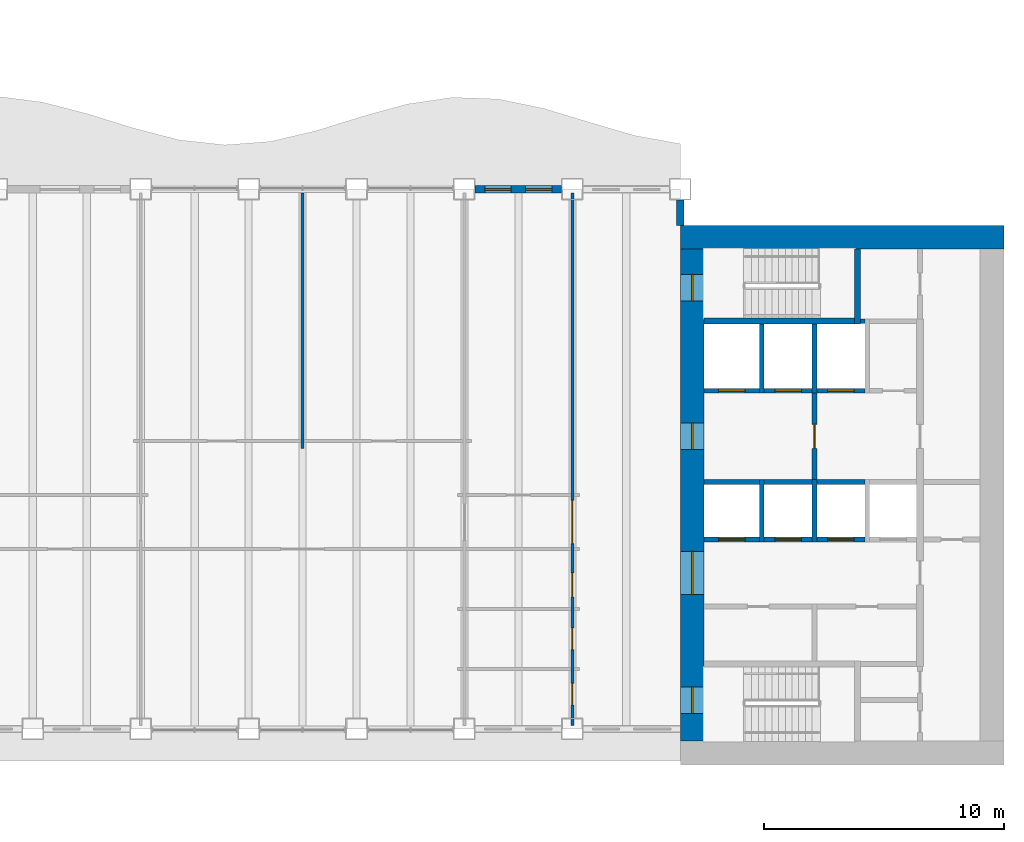
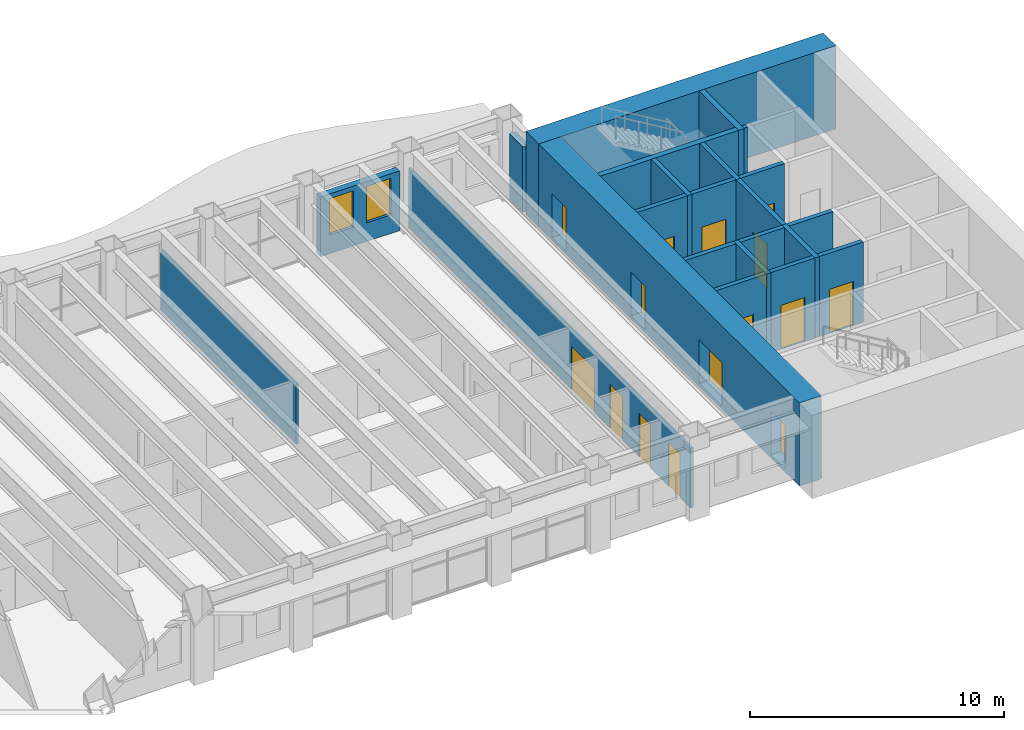
# One storey, part 8 of 17: 23 walls, 15 doors, 2 windows, 17 openings.
"""IFC4 building model written with IfcOpenShell, lengths in metres."""

from ifc_helpers import new_model, si_unit, direction, frame, frame_2d, origin, place, context, subcontext, project, spatial, rectangle, extrude, material, layer, layer_set, type_object, element, fill, save


model = new_model("IFC4")

# Units and contexts
model_context = context("Model", 3, precision=1e-05, world=origin(), true_north=direction((0.0, 1.0)))
body_context = subcontext(model_context, "Body", "Model", "MODEL_VIEW")
ifc_project = project(units=[si_unit("LENGTHUNIT", "METRE"), si_unit("AREAUNIT", "SQUARE_METRE"), si_unit("VOLUMEUNIT", "CUBIC_METRE"), si_unit("PLANEANGLEUNIT", "RADIAN"), si_unit("MASSUNIT", "GRAM", prefix="KILO")], contexts=[model_context])

# Site, building, storey
site_placement = place(None, origin())
site = spatial("IfcSite", under=ifc_project, at=site_placement, CompositionType="ELEMENT")
building_placement = place(site_placement, origin())
building = spatial("IfcBuilding", under=site, at=building_placement, Name="Sennacour Bend Tower", CompositionType="ELEMENT")
storey_placement = place(building_placement, frame((0.0, 0.0, 151.0)))
storey = spatial("IfcBuildingStorey", under=building, at=storey_placement, Name="L34", CompositionType="ELEMENT", Elevation=151.0)

# Wall
ifc_material_1 = material(Name="Concrete C60/75", Category="concrete")
ifc_layer_1 = layer(ifc_material_1, 1.0, Name="Concrete C60/75", Category="concrete")
ifc_layer_set_1 = layer_set([ifc_layer_1], Name="Concrete C60/75")
wall_type_1 = type_object("IfcWallType", Name="Core wall 1000 C60/75", PredefinedType="SHEAR", material=ifc_layer_set_1)
wall_1_placement = place(storey_placement, frame((54.0, 22.0, -0.14990234375), z_axis=(0.0, 0.0, 1.0), x_axis=(1.0, 0.0, 0.0)))
element("IfcWall", 1, at=wall_1_placement, inside=storey, type_object=wall_type_1, Name="Core A wall L34 N", PredefinedType="SHEAR", context=body_context, shape_type="SweptSolid", body=[
    extrude(rectangle(XDim=13.5, YDim=1.0, at=frame_2d((6.75, 0.0))), origin(), (0.0, 0.0, 1.0), 4.0),
])

# Wall, openings, doors
wall_2_placement = place(storey_placement, frame((54.5, 1.0, -0.14990234375), z_axis=(0.0, 0.0, 1.0), x_axis=(0.0, 1.0, 0.0)))
wall_2 = element("IfcWall", 2, at=wall_2_placement, inside=storey, type_object=wall_type_1, Name="Core A wall L34 W", PredefinedType="SHEAR", context=body_context, shape_type="SweptSolid", body=[
    extrude(rectangle(XDim=20.5, YDim=1.0, at=frame_2d((10.25, 0.0))), origin(), (0.0, 0.0, 1.0), 4.0),
])
opening_1_placement = place(wall_2_placement, frame((6.10009765625, 0.0, 0.14990234375)))
opening_1 = element("IfcOpeningElement", 3, at=opening_1_placement, cuts=wall_2, Name="Opening CD", PredefinedType="OPENING", context=body_context, shape_type="SweptSolid", body=[
    extrude(rectangle(XDim=1.800048828125, YDim=2.10009765625, at=frame_2d((0.89990234375, 1.050048828125))), frame((0.0, 0.510009765625, 0.0), z_axis=(0.0, -1.0, 0.0), x_axis=(1.0, 0.0, 0.0)), (0.0, 0.0, 1.0), 1.02001953125),
])
opening_2_placement = place(wall_2_placement, frame((12.14990234375, 0.0, 0.14990234375)))
opening_2 = element("IfcOpeningElement", 4, at=opening_2_placement, cuts=wall_2, Name="Opening FD", PredefinedType="OPENING", context=body_context, shape_type="SweptSolid", body=[
    extrude(rectangle(XDim=1.10009765625, YDim=2.10009765625, at=frame_2d((0.550048828125, 1.050048828125))), frame((0.0, 0.510009765625, 0.0), z_axis=(0.0, -1.0, 0.0), x_axis=(1.0, 0.0, 0.0)), (0.0, 0.0, 1.0), 1.02001953125),
])
opening_3_placement = place(wall_2_placement, frame((1.14990234375, 0.0, 0.14990234375)))
opening_3 = element("IfcOpeningElement", 5, at=opening_3_placement, cuts=wall_2, Name="Opening SD", PredefinedType="OPENING", context=body_context, shape_type="SweptSolid", body=[
    extrude(rectangle(XDim=1.10009765625, YDim=2.10009765625, at=frame_2d((0.550048828125, 1.050048828125))), frame((0.0, 0.510009765625, 0.0), z_axis=(0.0, -1.0, 0.0), x_axis=(1.0, 0.0, 0.0)), (0.0, 0.0, 1.0), 1.02001953125),
])
opening_4_placement = place(wall_2_placement, frame((18.35009765625, 0.0, 0.14990234375)))
opening_4 = element("IfcOpeningElement", 6, at=opening_4_placement, cuts=wall_2, Name="Opening SD", PredefinedType="OPENING", context=body_context, shape_type="SweptSolid", body=[
    extrude(rectangle(XDim=1.10009765625, YDim=2.10009765625, at=frame_2d((0.550048828125, 1.050048828125))), frame((0.0, 0.510009765625, 0.0), z_axis=(0.0, -1.0, 0.0), x_axis=(1.0, 0.0, 0.0)), (0.0, 0.0, 1.0), 1.02001953125),
])
ifc_material_2 = material(Name="Painted steel", Category="steel")
door_type_1 = type_object("IfcDoorType", Name="DR-FFL-1100", OperationType="NOTDEFINED", PredefinedType="DOOR", material=ifc_material_2)
door_1_placement = place(opening_2_placement, origin())
door_1 = element("IfcDoor", 7, at=door_1_placement, inside=storey, type_object=door_type_1, Name="Door", OperationType="SINGLE_SWING_RIGHT", OverallHeight=2.10009765625, OverallWidth=1.10009765625, PredefinedType="DOOR", context=body_context, shape_type="SweptSolid", body=[
    extrude(rectangle(XDim=1.10009765625, YDim=2.10009765625, at=frame_2d((0.550048828125, 1.050048828125))), frame((0.0, 0.02490234375, 0.0), z_axis=(0.0, -1.0, 0.0), x_axis=(1.0, 0.0, 0.0)), (0.0, 0.0, 1.0), 0.050048828125),
])
fill(opening_2, door_1)
door_type_2 = type_object("IfcDoorType", Name="DR-LOBBY-1800", OperationType="NOTDEFINED", PredefinedType="DOOR", material=ifc_material_2)
door_2_placement = place(opening_1_placement, origin())
door_2 = element("IfcDoor", 8, at=door_2_placement, inside=storey, type_object=door_type_2, Name="Door", OperationType="DOUBLE_DOOR_SINGLE_SWING", OverallHeight=2.10009765625, OverallWidth=1.800048828125, PredefinedType="DOOR", context=body_context, shape_type="SweptSolid", body=[
    extrude(rectangle(XDim=1.800048828125, YDim=2.10009765625, at=frame_2d((0.89990234375, 1.050048828125))), frame((0.0, 0.02490234375, 0.0), z_axis=(0.0, -1.0, 0.0), x_axis=(1.0, 0.0, 0.0)), (0.0, 0.0, 1.0), 0.050048828125),
])
fill(opening_1, door_2)
door_type_3 = type_object("IfcDoorType", Name="DR-STAIR-1100", OperationType="NOTDEFINED", PredefinedType="DOOR", material=ifc_material_2)
door_3_placement = place(opening_3_placement, origin())
door_3 = element("IfcDoor", 9, at=door_3_placement, inside=storey, type_object=door_type_3, Name="Door", OperationType="SINGLE_SWING_LEFT", OverallHeight=2.10009765625, OverallWidth=1.10009765625, PredefinedType="DOOR", context=body_context, shape_type="SweptSolid", body=[
    extrude(rectangle(XDim=1.10009765625, YDim=2.10009765625, at=frame_2d((0.550048828125, 1.050048828125))), frame((0.0, 0.02490234375, 0.0), z_axis=(0.0, -1.0, 0.0), x_axis=(1.0, 0.0, 0.0)), (0.0, 0.0, 1.0), 0.050048828125),
])
fill(opening_3, door_3)
door_4_placement = place(opening_4_placement, origin())
door_4 = element("IfcDoor", 10, at=door_4_placement, inside=storey, type_object=door_type_3, Name="Door", OperationType="SINGLE_SWING_RIGHT", OverallHeight=2.10009765625, OverallWidth=1.10009765625, PredefinedType="DOOR", context=body_context, shape_type="SweptSolid", body=[
    extrude(rectangle(XDim=1.10009765625, YDim=2.10009765625, at=frame_2d((0.550048828125, 1.050048828125))), frame((0.0, 0.02490234375, 0.0), z_axis=(0.0, -1.0, 0.0), x_axis=(1.0, 0.0, 0.0)), (0.0, 0.0, 1.0), 0.050048828125),
])
fill(opening_4, door_4)

# Wall
ifc_material_3 = material(Name="Plasterboard partition on steel studs", Category="steel")
ifc_layer_2 = layer(ifc_material_3, 0.1201171875, Name="Plasterboard partition on steel studs", Category="steel")
ifc_layer_set_2 = layer_set([ifc_layer_2], Name="Plasterboard partition on steel studs")
wall_type_2 = type_object("IfcWallType", Name="Partition 120", PredefinedType="PARTITIONING", material=ifc_layer_set_2)
wall_3_placement = place(storey_placement, frame((38.25, 13.199951171875, 0.0), z_axis=(0.0, 0.0, 1.0), x_axis=(0.0, 1.0, 0.0)))
element("IfcWall", 11, at=wall_3_placement, inside=storey, type_object=wall_type_2, Name="P-L34-W028a", PredefinedType="PARTITIONING", context=body_context, shape_type="SweptSolid", body=[
    extrude(rectangle(XDim=10.650146484375, YDim=0.1201171875, at=frame_2d((5.3251953125, 0.0))), origin(), (0.0, 0.0, 1.0), 2.8701171875),
])

# Wall, openings, doors
ifc_layer_3 = layer(ifc_material_3, 0.1201171875, Name="Plasterboard partition on steel studs", Category="steel")
ifc_layer_set_3 = layer_set([ifc_layer_3], Name="Plasterboard partition on steel studs")
wall_type_3 = type_object("IfcWallType", Name="Partition 120 EI 30", PredefinedType="PARTITIONING", material=ifc_layer_set_3)
wall_4_placement = place(storey_placement, frame((49.5, 1.64990234375, 0.0), z_axis=(0.0, 0.0, 1.0), x_axis=(0.0, 1.0, 0.0)))
wall_4 = element("IfcWall", 12, at=wall_4_placement, inside=storey, type_object=wall_type_3, Name="P-L34-W030a", PredefinedType="PARTITIONING", context=body_context, shape_type="SweptSolid", body=[
    extrude(rectangle(XDim=22.2001953125, YDim=0.1201171875, at=frame_2d((11.10009765625, 0.0))), origin(), (0.0, 0.0, 1.0), 2.8701171875),
])
opening_5_placement = place(wall_4_placement, frame((7.5751953125, 0.0, 0.0)))
opening_5 = element("IfcOpeningElement", 13, at=opening_5_placement, cuts=wall_4, Name="Opening KD3", PredefinedType="OPENING", context=body_context, shape_type="SweptSolid", body=[
    extrude(rectangle(XDim=1.800048828125, YDim=2.10009765625, at=frame_2d((0.89990234375, 1.050048828125))), frame((0.0, 0.070068359375, 0.0), z_axis=(0.0, -1.0, 0.0), x_axis=(1.0, 0.0, 0.0)), (0.0, 0.0, 1.0), 0.14013671875),
])
opening_6_placement = place(wall_4_placement, frame((0.85009765625, 0.0, 0.0)))
opening_6 = element("IfcOpeningElement", 14, at=opening_6_placement, cuts=wall_4, Name="Opening WD", PredefinedType="OPENING", context=body_context, shape_type="SweptSolid", body=[
    extrude(rectangle(XDim=0.89990234375, YDim=2.10009765625, at=frame_2d((0.449951171875, 1.050048828125))), frame((0.0, 0.070068359375, 0.0), z_axis=(0.0, -1.0, 0.0), x_axis=(1.0, 0.0, 0.0)), (0.0, 0.0, 1.0), 0.14013671875),
])
opening_7_placement = place(wall_4_placement, frame((3.150146484375, 0.0, 0.0)))
opening_7 = element("IfcOpeningElement", 15, at=opening_7_placement, cuts=wall_4, Name="Opening WD", PredefinedType="OPENING", context=body_context, shape_type="SweptSolid", body=[
    extrude(rectangle(XDim=0.89990234375, YDim=2.10009765625, at=frame_2d((0.449951171875, 1.050048828125))), frame((0.0, 0.070068359375, 0.0), z_axis=(0.0, -1.0, 0.0), x_axis=(1.0, 0.0, 0.0)), (0.0, 0.0, 1.0), 0.14013671875),
])
opening_8_placement = place(wall_4_placement, frame((5.35009765625, 0.0, 0.0)))
opening_8 = element("IfcOpeningElement", 16, at=opening_8_placement, cuts=wall_4, Name="Opening AD", PredefinedType="OPENING", context=body_context, shape_type="SweptSolid", body=[
    extrude(rectangle(XDim=1.0, YDim=2.10009765625, at=frame_2d((0.5, 1.050048828125))), frame((0.0, 0.070068359375, 0.0), z_axis=(0.0, -1.0, 0.0), x_axis=(1.0, 0.0, 0.0)), (0.0, 0.0, 1.0), 0.14013671875),
])
ifc_material_4 = material(Name="Timber", Category="wood")
door_type_4 = type_object("IfcDoorType", Name="DR-ACC-WC-1000", OperationType="NOTDEFINED", PredefinedType="DOOR", material=ifc_material_4)
door_5_placement = place(opening_8_placement, origin())
door_5 = element("IfcDoor", 17, at=door_5_placement, inside=storey, type_object=door_type_4, Name="Door", OperationType="SINGLE_SWING_LEFT", OverallHeight=2.10009765625, OverallWidth=1.0, PredefinedType="DOOR", context=body_context, shape_type="SweptSolid", body=[
    extrude(rectangle(XDim=1.0, YDim=2.10009765625, at=frame_2d((0.5, 1.050048828125))), frame((0.0, 0.02490234375, 0.0), z_axis=(0.0, -1.0, 0.0), x_axis=(1.0, 0.0, 0.0)), (0.0, 0.0, 1.0), 0.050048828125),
])
fill(opening_8, door_5)
door_type_5 = type_object("IfcDoorType", Name="DR-CORRIDOR-1800", OperationType="NOTDEFINED", PredefinedType="DOOR", material=ifc_material_2)
door_6_placement = place(opening_5_placement, origin())
door_6 = element("IfcDoor", 18, at=door_6_placement, inside=storey, type_object=door_type_5, Name="Door", OperationType="DOUBLE_DOOR_SINGLE_SWING", OverallHeight=2.10009765625, OverallWidth=1.800048828125, PredefinedType="DOOR", context=body_context, shape_type="SweptSolid", body=[
    extrude(rectangle(XDim=1.800048828125, YDim=2.10009765625, at=frame_2d((0.89990234375, 1.050048828125))), frame((0.0, 0.02490234375, 0.0), z_axis=(0.0, -1.0, 0.0), x_axis=(1.0, 0.0, 0.0)), (0.0, 0.0, 1.0), 0.050048828125),
])
fill(opening_5, door_6)
door_type_6 = type_object("IfcDoorType", Name="DR-WC-900", OperationType="NOTDEFINED", PredefinedType="DOOR", material=ifc_material_4)
door_7_placement = place(opening_6_placement, origin())
door_7 = element("IfcDoor", 19, at=door_7_placement, inside=storey, type_object=door_type_6, Name="Door", OperationType="SINGLE_SWING_LEFT", OverallHeight=2.10009765625, OverallWidth=0.89990234375, PredefinedType="DOOR", context=body_context, shape_type="SweptSolid", body=[
    extrude(rectangle(XDim=0.89990234375, YDim=2.10009765625, at=frame_2d((0.449951171875, 1.050048828125))), frame((0.0, 0.02490234375, 0.0), z_axis=(0.0, -1.0, 0.0), x_axis=(1.0, 0.0, 0.0)), (0.0, 0.0, 1.0), 0.050048828125),
])
fill(opening_6, door_7)
door_8_placement = place(opening_7_placement, origin())
door_8 = element("IfcDoor", 20, at=door_8_placement, inside=storey, type_object=door_type_6, Name="Door", OperationType="SINGLE_SWING_LEFT", OverallHeight=2.10009765625, OverallWidth=0.89990234375, PredefinedType="DOOR", context=body_context, shape_type="SweptSolid", body=[
    extrude(rectangle(XDim=0.89990234375, YDim=2.10009765625, at=frame_2d((0.449951171875, 1.050048828125))), frame((0.0, 0.02490234375, 0.0), z_axis=(0.0, -1.0, 0.0), x_axis=(1.0, 0.0, 0.0)), (0.0, 0.0, 1.0), 0.050048828125),
])
fill(opening_7, door_8)

# Wall, opening, door
ifc_material_5 = material(Name="Fire-rated plasterboard partition on steel studs", Category="steel")
ifc_layer_4 = layer(ifc_material_5, 0.199951171875, Name="Fire-rated plasterboard partition on steel studs", Category="steel")
ifc_layer_set_4 = layer_set([ifc_layer_4], Name="Fire-rated plasterboard partition on steel studs")
wall_type_4 = type_object("IfcWallType", Name="Rated partition 200 EI 90", PredefinedType="PARTITIONING", material=ifc_layer_set_4)
wall_5_placement = place(storey_placement, frame((59.60009765625, 11.89990234375, 0.0), z_axis=(0.0, 0.0, 1.0), x_axis=(0.0, 1.0, 0.0)))
wall_5 = element("IfcWall", 21, at=wall_5_placement, inside=storey, type_object=wall_type_4, Name="P-L34-W036", PredefinedType="PARTITIONING", context=body_context, shape_type="SweptSolid", body=[
    extrude(rectangle(XDim=3.60009765625, YDim=0.199951171875, at=frame_2d((1.800048828125, 0.0))), origin(), (0.0, 0.0, 1.0), 3.85009765625),
])
opening_9_placement = place(wall_5_placement, frame((1.300048828125, 0.0, 0.0)))
opening_9 = element("IfcOpeningElement", 22, at=opening_9_placement, cuts=wall_5, Name="Opening FD2", PredefinedType="OPENING", context=body_context, shape_type="SweptSolid", body=[
    extrude(rectangle(XDim=1.0, YDim=2.10009765625, at=frame_2d((0.5, 1.050048828125))), frame((0.0, 0.10986328125, 0.0), z_axis=(0.0, -1.0, 0.0), x_axis=(1.0, 0.0, 0.0)), (0.0, 0.0, 1.0), 0.219970703125),
])
door_type_7 = type_object("IfcDoorType", Name="DR-FFL-1000", OperationType="NOTDEFINED", PredefinedType="DOOR", material=ifc_material_2)
door_9_placement = place(opening_9_placement, origin())
door_9 = element("IfcDoor", 23, at=door_9_placement, inside=storey, type_object=door_type_7, Name="Door", OperationType="SINGLE_SWING_LEFT", OverallHeight=2.10009765625, OverallWidth=1.0, PredefinedType="DOOR", context=body_context, shape_type="SweptSolid", body=[
    extrude(rectangle(XDim=1.0, YDim=2.10009765625, at=frame_2d((0.5, 1.050048828125))), frame((0.0, 0.02490234375, 0.0), z_axis=(0.0, -1.0, 0.0), x_axis=(1.0, 0.0, 0.0)), (0.0, 0.0, 1.0), 0.050048828125),
])
fill(opening_9, door_9)

# Wall
ifc_material_6 = material(Name="Warm limestone cladding", Category="masonry")
ifc_layer_5 = layer(ifc_material_6, 0.050048828125, Name="Warm limestone cladding", Category="masonry")
ifc_material_7 = material(Name="Precast concrete C40/50", Category="concrete")
ifc_layer_6 = layer(ifc_material_7, 0.25, Name="Precast concrete C40/50", Category="concrete")
ifc_layer_set_5 = layer_set([ifc_layer_5, ifc_layer_6], Name="Precast concrete C40/50 with limestone cladding")
wall_type_5 = type_object("IfcWallType", Name="STONE-CLAD PRECAST SPANDREL 300", PredefinedType="STANDARD", material=ifc_layer_set_5)
wall_6_placement = place(storey_placement, frame((54.0, 22.5, 0.0), z_axis=(0.0, 0.0, 1.0), x_axis=(0.0, 1.0, 0.0)))
element("IfcWall", 24, at=wall_6_placement, inside=storey, type_object=wall_type_5, Name="Stone spandrel and pier wall L34 07.00", PredefinedType="STANDARD", context=body_context, shape_type="SweptSolid", body=[
    extrude(rectangle(XDim=1.050048828125, YDim=0.300048828125, at=frame_2d((0.52490234375, 0.0))), origin(), (0.0, 0.0, 1.0), 3.14892578125),
])

# Wall, openings, windows
wall_7_placement = place(storey_placement, frame((49.050048828125, 24.0, 0.0), z_axis=(0.0, 0.0, 1.0), x_axis=(-1.0, 0.0, 0.0)))
wall_7 = element("IfcWall", 25, at=wall_7_placement, inside=storey, type_object=wall_type_5, Name="Stone spandrel and pier wall L34 08.01", PredefinedType="STANDARD", context=body_context, shape_type="SweptSolid", body=[
    extrude(rectangle(XDim=3.60009765625, YDim=0.300048828125, at=frame_2d((1.800048828125, 0.0))), origin(), (0.0, 0.0, 1.0), 2.8701171875),
])
opening_10_placement = place(wall_7_placement, frame((0.39990234375, 0.0, 0.89990234375)))
opening_10 = element("IfcOpeningElement", 26, at=opening_10_placement, cuts=wall_7, Name="Opening W17", PredefinedType="OPENING", context=body_context, shape_type="SweptSolid", body=[
    extrude(rectangle(XDim=1.10009765625, YDim=1.75, at=frame_2d((0.550048828125, 0.875))), frame((0.0, 0.16015625, 0.0), z_axis=(0.0, -1.0, 0.0), x_axis=(1.0, 0.0, 0.0)), (0.0, 0.0, 1.0), 0.320068359375),
])
opening_11_placement = place(wall_7_placement, frame((2.10009765625, 0.0, 0.89990234375)))
opening_11 = element("IfcOpeningElement", 27, at=opening_11_placement, cuts=wall_7, Name="Opening W17", PredefinedType="OPENING", context=body_context, shape_type="SweptSolid", body=[
    extrude(rectangle(XDim=1.10009765625, YDim=1.75, at=frame_2d((0.550048828125, 0.875))), frame((0.0, 0.16015625, 0.0), z_axis=(0.0, -1.0, 0.0), x_axis=(1.0, 0.0, 0.0)), (0.0, 0.0, 1.0), 0.320068359375),
])
ifc_material_8 = material(Name="Clear low-emissivity glass", Category="glass")
window_type = type_object("IfcWindowType", Name="WIN-RIBBON-1100x1750", PartitioningType="SINGLE_PANEL", PredefinedType="WINDOW", material=ifc_material_8)
window_1_placement = place(opening_10_placement, origin())
window_1 = element("IfcWindow", 28, at=window_1_placement, inside=storey, type_object=window_type, Name="Ribbon window L34 08.01.0", OverallHeight=1.75, OverallWidth=1.10009765625, PartitioningType="SINGLE_PANEL", PredefinedType="WINDOW", context=body_context, shape_type="SweptSolid", body=[
    extrude(rectangle(XDim=1.10009765625, YDim=1.75, at=frame_2d((0.550048828125, 0.875))), frame((0.0, 0.030029296875, 0.0), z_axis=(0.0, -1.0, 0.0), x_axis=(1.0, 0.0, 0.0)), (0.0, 0.0, 1.0), 0.06005859375),
])
fill(opening_10, window_1)
window_2_placement = place(opening_11_placement, origin())
window_2 = element("IfcWindow", 29, at=window_2_placement, inside=storey, type_object=window_type, Name="Ribbon window L34 08.01.1", OverallHeight=1.75, OverallWidth=1.10009765625, PartitioningType="SINGLE_PANEL", PredefinedType="WINDOW", context=body_context, shape_type="SweptSolid", body=[
    extrude(rectangle(XDim=1.10009765625, YDim=1.75, at=frame_2d((0.550048828125, 0.875))), frame((0.0, 0.030029296875, 0.0), z_axis=(0.0, -1.0, 0.0), x_axis=(1.0, 0.0, 0.0)), (0.0, 0.0, 1.0), 0.06005859375),
])
fill(opening_11, window_2)

# Walls
ifc_material_9 = material(Name="Concrete C50/60", Category="concrete")
ifc_layer_7 = layer(ifc_material_9, 0.199951171875, Name="Concrete C50/60", Category="concrete")
ifc_layer_set_6 = layer_set([ifc_layer_7], Name="Concrete C50/60")
wall_type_6 = type_object("IfcWallType", Name="Shaft wall 200", PredefinedType="SOLIDWALL", material=ifc_layer_set_6)
wall_8_placement = place(storey_placement, frame((57.39990234375, 9.300048828125, 0.0), z_axis=(0.0, 0.0, 1.0), x_axis=(0.0, 1.0, 0.0)))
element("IfcWall", 30, at=wall_8_placement, inside=storey, type_object=wall_type_6, Name="P-L34-W032", PredefinedType="SOLIDWALL", context=body_context, shape_type="SweptSolid", body=[
    extrude(rectangle(XDim=2.599853515625, YDim=0.199951171875, at=frame_2d((1.2998046875, 0.0))), origin(), (0.0, 0.0, 1.0), 3.85009765625),
])
wall_9_placement = place(storey_placement, frame((57.39990234375, 15.5, 0.0), z_axis=(0.0, 0.0, 1.0), x_axis=(0.0, 1.0, 0.0)))
element("IfcWall", 31, at=wall_9_placement, inside=storey, type_object=wall_type_6, Name="P-L34-W033", PredefinedType="SOLIDWALL", context=body_context, shape_type="SweptSolid", body=[
    extrude(rectangle(XDim=2.875, YDim=0.199951171875, at=frame_2d((1.4375, 0.0))), origin(), (0.0, 0.0, 1.0), 3.85009765625),
])
wall_10_placement = place(storey_placement, frame((59.60009765625, 9.300048828125, 0.0), z_axis=(0.0, 0.0, 1.0), x_axis=(0.0, 1.0, 0.0)))
element("IfcWall", 32, at=wall_10_placement, inside=storey, type_object=wall_type_6, Name="P-L34-W035", PredefinedType="SOLIDWALL", context=body_context, shape_type="SweptSolid", body=[
    extrude(rectangle(XDim=2.599853515625, YDim=0.199951171875, at=frame_2d((1.2998046875, 0.0))), origin(), (0.0, 0.0, 1.0), 3.85009765625),
])
wall_11_placement = place(storey_placement, frame((59.60009765625, 15.5, 0.0), z_axis=(0.0, 0.0, 1.0), x_axis=(0.0, 1.0, 0.0)))
element("IfcWall", 33, at=wall_11_placement, inside=storey, type_object=wall_type_6, Name="P-L34-W037", PredefinedType="SOLIDWALL", context=body_context, shape_type="SweptSolid", body=[
    extrude(rectangle(XDim=2.875, YDim=0.199951171875, at=frame_2d((1.4375, 0.0))), origin(), (0.0, 0.0, 1.0), 3.85009765625),
])

# Wall, opening, door
wall_12_placement = place(storey_placement, frame((55.0, 9.39990234375, 0.0), z_axis=(0.0, 0.0, 1.0), x_axis=(1.0, 0.0, 0.0)))
wall_12 = element("IfcWall", 34, at=wall_12_placement, inside=storey, type_object=wall_type_6, Name="P-L34-W058a", PredefinedType="SOLIDWALL", context=body_context, shape_type="SweptSolid", body=[
    extrude(rectangle(XDim=2.300048828125, YDim=0.199951171875, at=frame_2d((1.14990234375, 0.0))), origin(), (0.0, 0.0, 1.0), 3.85009765625),
])
opening_12_placement = place(wall_12_placement, frame((0.60009765625, 0.0, 0.011962890625)))
opening_12 = element("IfcOpeningElement", 35, at=opening_12_placement, cuts=wall_12, Name="Opening LD", PredefinedType="OPENING", context=body_context, shape_type="SweptSolid", body=[
    extrude(rectangle(XDim=1.10009765625, YDim=2.10009765625, at=frame_2d((0.550048828125, 1.050048828125))), frame((0.0, 0.10986328125, 0.0), z_axis=(0.0, -1.0, 0.0), x_axis=(1.0, 0.0, 0.0)), (0.0, 0.0, 1.0), 0.219970703125),
])
ifc_material_10 = material(Name="Stainless steel", Category="steel")
door_type_8 = type_object("IfcDoorType", Name="DR-LANDING-1100", OperationType="NOTDEFINED", PredefinedType="DOOR", material=ifc_material_10)
door_10_placement = place(opening_12_placement, origin())
door_10 = element("IfcDoor", 36, at=door_10_placement, inside=storey, type_object=door_type_8, Name="Lift landing door HA1", OperationType="SLIDING_TO_LEFT", OverallHeight=2.10009765625, OverallWidth=1.10009765625, PredefinedType="DOOR", context=body_context, shape_type="SweptSolid", body=[
    extrude(rectangle(XDim=1.10009765625, YDim=2.10009765625, at=frame_2d((0.550048828125, 1.050048828125))), frame((0.0, 0.02490234375, 0.0), z_axis=(0.0, -1.0, 0.0), x_axis=(1.0, 0.0, 0.0)), (0.0, 0.0, 1.0), 0.050048828125),
])
fill(opening_12, door_10)

wall_13_placement = place(storey_placement, frame((57.5, 9.39990234375, 0.0), z_axis=(0.0, 0.0, 1.0), x_axis=(1.0, 0.0, 0.0)))
wall_13 = element("IfcWall", 37, at=wall_13_placement, inside=storey, type_object=wall_type_6, Name="P-L34-W058b", PredefinedType="SOLIDWALL", context=body_context, shape_type="SweptSolid", body=[
    extrude(rectangle(XDim=2.0, YDim=0.199951171875, at=frame_2d((1.0, 0.0))), origin(), (0.0, 0.0, 1.0), 3.85009765625),
])
opening_13_placement = place(wall_13_placement, frame((0.449951171875, 0.0, 0.011962890625)))
opening_13 = element("IfcOpeningElement", 38, at=opening_13_placement, cuts=wall_13, Name="Opening LD", PredefinedType="OPENING", context=body_context, shape_type="SweptSolid", body=[
    extrude(rectangle(XDim=1.10009765625, YDim=2.10009765625, at=frame_2d((0.550048828125, 1.050048828125))), frame((0.0, 0.10986328125, 0.0), z_axis=(0.0, -1.0, 0.0), x_axis=(1.0, 0.0, 0.0)), (0.0, 0.0, 1.0), 0.219970703125),
])
door_11_placement = place(opening_13_placement, origin())
door_11 = element("IfcDoor", 39, at=door_11_placement, inside=storey, type_object=door_type_8, Name="Lift landing door HA2", OperationType="SLIDING_TO_RIGHT", OverallHeight=2.10009765625, OverallWidth=1.10009765625, PredefinedType="DOOR", context=body_context, shape_type="SweptSolid", body=[
    extrude(rectangle(XDim=1.10009765625, YDim=2.10009765625, at=frame_2d((0.550048828125, 1.050048828125))), frame((0.0, 0.02490234375, 0.0), z_axis=(0.0, -1.0, 0.0), x_axis=(1.0, 0.0, 0.0)), (0.0, 0.0, 1.0), 0.050048828125),
])
fill(opening_13, door_11)

wall_14_placement = place(storey_placement, frame((59.699951171875, 9.39990234375, 0.0), z_axis=(0.0, 0.0, 1.0), x_axis=(1.0, 0.0, 0.0)))
wall_14 = element("IfcWall", 40, at=wall_14_placement, inside=storey, type_object=wall_type_6, Name="P-L34-W058c", PredefinedType="SOLIDWALL", context=body_context, shape_type="SweptSolid", body=[
    extrude(rectangle(XDim=2.0, YDim=0.199951171875, at=frame_2d((1.0, 0.0))), origin(), (0.0, 0.0, 1.0), 3.85009765625),
])
opening_14_placement = place(wall_14_placement, frame((0.449951171875, 0.0, 0.011962890625)))
opening_14 = element("IfcOpeningElement", 41, at=opening_14_placement, cuts=wall_14, Name="Opening LD", PredefinedType="OPENING", context=body_context, shape_type="SweptSolid", body=[
    extrude(rectangle(XDim=1.10009765625, YDim=2.10009765625, at=frame_2d((0.550048828125, 1.050048828125))), frame((0.0, 0.10986328125, 0.0), z_axis=(0.0, -1.0, 0.0), x_axis=(1.0, 0.0, 0.0)), (0.0, 0.0, 1.0), 0.219970703125),
])
door_12_placement = place(opening_14_placement, origin())
door_12 = element("IfcDoor", 42, at=door_12_placement, inside=storey, type_object=door_type_8, Name="Lift landing door HA3", OperationType="SLIDING_TO_LEFT", OverallHeight=2.10009765625, OverallWidth=1.10009765625, PredefinedType="DOOR", context=body_context, shape_type="SweptSolid", body=[
    extrude(rectangle(XDim=1.10009765625, YDim=2.10009765625, at=frame_2d((0.550048828125, 1.050048828125))), frame((0.0, 0.02490234375, 0.0), z_axis=(0.0, -1.0, 0.0), x_axis=(1.0, 0.0, 0.0)), (0.0, 0.0, 1.0), 0.050048828125),
])
fill(opening_14, door_12)

# Walls
wall_15_placement = place(storey_placement, frame((55.0, 11.800048828125, 0.0), z_axis=(0.0, 0.0, 1.0), x_axis=(1.0, 0.0, 0.0)))
element("IfcWall", 43, at=wall_15_placement, inside=storey, type_object=wall_type_6, Name="P-L34-W062a", PredefinedType="SOLIDWALL", context=body_context, shape_type="SweptSolid", body=[
    extrude(rectangle(XDim=2.300048828125, YDim=0.199951171875, at=frame_2d((1.14990234375, 0.0))), origin(), (0.0, 0.0, 1.0), 3.85009765625),
])
for number, where, z_axis, x_axis, name in (
    (44, (57.5, 11.800048828125, 0.0), (0.0, 0.0, 1.0), (1.0, 0.0, 0.0), "P-L34-W062b"),
    (45, (59.699951171875, 11.800048828125, 0.0), (0.0, 0.0, 1.0), (1.0, 0.0, 0.0), "P-L34-W062c"),
):
    element("IfcWall", number, at=place(storey_placement, frame(where, z_axis=z_axis, x_axis=x_axis)), inside=storey, type_object=wall_type_6, Name=name, PredefinedType="SOLIDWALL", context=body_context, shape_type="SweptSolid", body=[
        extrude(rectangle(XDim=2.0, YDim=0.199951171875, at=frame_2d((1.0, 0.0))), origin(), (0.0, 0.0, 1.0), 3.85009765625),
    ])

# Wall, opening, door
wall_16_placement = place(storey_placement, frame((55.0, 15.60009765625, 0.0), z_axis=(0.0, 0.0, 1.0), x_axis=(1.0, 0.0, 0.0)))
wall_16 = element("IfcWall", 46, at=wall_16_placement, inside=storey, type_object=wall_type_6, Name="P-L34-W065a", PredefinedType="SOLIDWALL", context=body_context, shape_type="SweptSolid", body=[
    extrude(rectangle(XDim=2.300048828125, YDim=0.199951171875, at=frame_2d((1.14990234375, 0.0))), origin(), (0.0, 0.0, 1.0), 3.85009765625),
])
opening_15_placement = place(wall_16_placement, frame((0.60009765625, 0.0, 0.011962890625)))
opening_15 = element("IfcOpeningElement", 47, at=opening_15_placement, cuts=wall_16, Name="Opening FLD", PredefinedType="OPENING", context=body_context, shape_type="SweptSolid", body=[
    extrude(rectangle(XDim=1.10009765625, YDim=2.10009765625, at=frame_2d((0.550048828125, 1.050048828125))), frame((0.0, 0.10986328125, 0.0), z_axis=(0.0, -1.0, 0.0), x_axis=(1.0, 0.0, 0.0)), (0.0, 0.0, 1.0), 0.219970703125),
])
door_type_9 = type_object("IfcDoorType", Name="DR-FF-LANDING-1100", OperationType="NOTDEFINED", PredefinedType="DOOR", material=ifc_material_10)
door_13_placement = place(opening_15_placement, origin())
door_13 = element("IfcDoor", 48, at=door_13_placement, inside=storey, type_object=door_type_9, Name="Fire service lift landing door FA1", OperationType="SLIDING_TO_LEFT", OverallHeight=2.10009765625, OverallWidth=1.10009765625, PredefinedType="DOOR", context=body_context, shape_type="SweptSolid", body=[
    extrude(rectangle(XDim=1.10009765625, YDim=2.10009765625, at=frame_2d((0.550048828125, 1.050048828125))), frame((0.0, 0.02490234375, 0.0), z_axis=(0.0, -1.0, 0.0), x_axis=(1.0, 0.0, 0.0)), (0.0, 0.0, 1.0), 0.050048828125),
])
fill(opening_15, door_13)

wall_17_placement = place(storey_placement, frame((57.5, 15.60009765625, 0.0), z_axis=(0.0, 0.0, 1.0), x_axis=(1.0, 0.0, 0.0)))
wall_17 = element("IfcWall", 49, at=wall_17_placement, inside=storey, type_object=wall_type_6, Name="P-L34-W065b", PredefinedType="SOLIDWALL", context=body_context, shape_type="SweptSolid", body=[
    extrude(rectangle(XDim=2.0, YDim=0.199951171875, at=frame_2d((1.0, 0.0))), origin(), (0.0, 0.0, 1.0), 3.85009765625),
])
opening_16_placement = place(wall_17_placement, frame((0.449951171875, 0.0, 0.011962890625)))
opening_16 = element("IfcOpeningElement", 50, at=opening_16_placement, cuts=wall_17, Name="Opening FLD", PredefinedType="OPENING", context=body_context, shape_type="SweptSolid", body=[
    extrude(rectangle(XDim=1.10009765625, YDim=2.10009765625, at=frame_2d((0.550048828125, 1.050048828125))), frame((0.0, 0.10986328125, 0.0), z_axis=(0.0, -1.0, 0.0), x_axis=(1.0, 0.0, 0.0)), (0.0, 0.0, 1.0), 0.219970703125),
])
door_14_placement = place(opening_16_placement, origin())
door_14 = element("IfcDoor", 51, at=door_14_placement, inside=storey, type_object=door_type_9, Name="Fire service lift landing door FA2", OperationType="SLIDING_TO_RIGHT", OverallHeight=2.10009765625, OverallWidth=1.10009765625, PredefinedType="DOOR", context=body_context, shape_type="SweptSolid", body=[
    extrude(rectangle(XDim=1.10009765625, YDim=2.10009765625, at=frame_2d((0.550048828125, 1.050048828125))), frame((0.0, 0.02490234375, 0.0), z_axis=(0.0, -1.0, 0.0), x_axis=(1.0, 0.0, 0.0)), (0.0, 0.0, 1.0), 0.050048828125),
])
fill(opening_16, door_14)

wall_18_placement = place(storey_placement, frame((59.699951171875, 15.60009765625, 0.0), z_axis=(0.0, 0.0, 1.0), x_axis=(1.0, 0.0, 0.0)))
wall_18 = element("IfcWall", 52, at=wall_18_placement, inside=storey, type_object=wall_type_6, Name="P-L34-W065c", PredefinedType="SOLIDWALL", context=body_context, shape_type="SweptSolid", body=[
    extrude(rectangle(XDim=2.0, YDim=0.199951171875, at=frame_2d((1.0, 0.0))), origin(), (0.0, 0.0, 1.0), 3.85009765625),
])
opening_17_placement = place(wall_18_placement, frame((0.449951171875, 0.0, 0.011962890625)))
opening_17 = element("IfcOpeningElement", 53, at=opening_17_placement, cuts=wall_18, Name="Opening LD", PredefinedType="OPENING", context=body_context, shape_type="SweptSolid", body=[
    extrude(rectangle(XDim=1.10009765625, YDim=2.10009765625, at=frame_2d((0.550048828125, 1.050048828125))), frame((0.0, 0.10986328125, 0.0), z_axis=(0.0, -1.0, 0.0), x_axis=(1.0, 0.0, 0.0)), (0.0, 0.0, 1.0), 0.219970703125),
])
door_15_placement = place(opening_17_placement, origin())
door_15 = element("IfcDoor", 54, at=door_15_placement, inside=storey, type_object=door_type_8, Name="Lift landing door HA5", OperationType="SLIDING_TO_LEFT", OverallHeight=2.10009765625, OverallWidth=1.10009765625, PredefinedType="DOOR", context=body_context, shape_type="SweptSolid", body=[
    extrude(rectangle(XDim=1.10009765625, YDim=2.10009765625, at=frame_2d((0.550048828125, 1.050048828125))), frame((0.0, 0.02490234375, 0.0), z_axis=(0.0, -1.0, 0.0), x_axis=(1.0, 0.0, 0.0)), (0.0, 0.0, 1.0), 0.050048828125),
])
fill(opening_17, door_15)

# Walls
wall_19_placement = place(storey_placement, frame((61.52490234375, 18.5, 0.0), z_axis=(0.0, 0.0, 1.0), x_axis=(1.0, 0.0, 0.0)))
element("IfcWall", 55, at=wall_19_placement, inside=storey, type_object=wall_type_6, Name="P-L34-W069", PredefinedType="SOLIDWALL", context=body_context, shape_type="SweptSolid", body=[
    extrude(rectangle(XDim=0.175048828125, YDim=0.199951171875, at=frame_2d((0.08740234375, 0.0))), origin(), (0.0, 0.0, 1.0), 3.85009765625),
])
ifc_layer_8 = layer(ifc_material_1, 0.25, Name="Concrete C60/75", Category="concrete")
ifc_layer_set_7 = layer_set([ifc_layer_8], Name="Concrete C60/75")
wall_type_7 = type_object("IfcWallType", Name="Stair wall 250", PredefinedType="SHEAR", material=ifc_layer_set_7)
wall_20_placement = place(storey_placement, frame((61.39990234375, 18.375, 0.0), z_axis=(0.0, 0.0, 1.0), x_axis=(0.0, 1.0, 0.0)))
element("IfcWall", 56, at=wall_20_placement, inside=storey, type_object=wall_type_7, Name="P-L34-W039", PredefinedType="SHEAR", context=body_context, shape_type="SweptSolid", body=[
    extrude(rectangle(XDim=3.125, YDim=0.25, at=frame_2d((1.5625, 0.0))), origin(), (0.0, 0.0, 1.0), 3.85009765625),
])
wall_21_placement = place(storey_placement, frame((55.0, 18.5, 0.0), z_axis=(0.0, 0.0, 1.0), x_axis=(1.0, 0.0, 0.0)))
element("IfcWall", 57, at=wall_21_placement, inside=storey, type_object=wall_type_7, Name="P-L34-W068", PredefinedType="SHEAR", context=body_context, shape_type="SweptSolid", body=[
    extrude(rectangle(XDim=6.27490234375, YDim=0.25, at=frame_2d((3.137451171875, 0.0))), origin(), (0.0, 0.0, 1.0), 3.85009765625),
])

save(model, "model.ifc")
